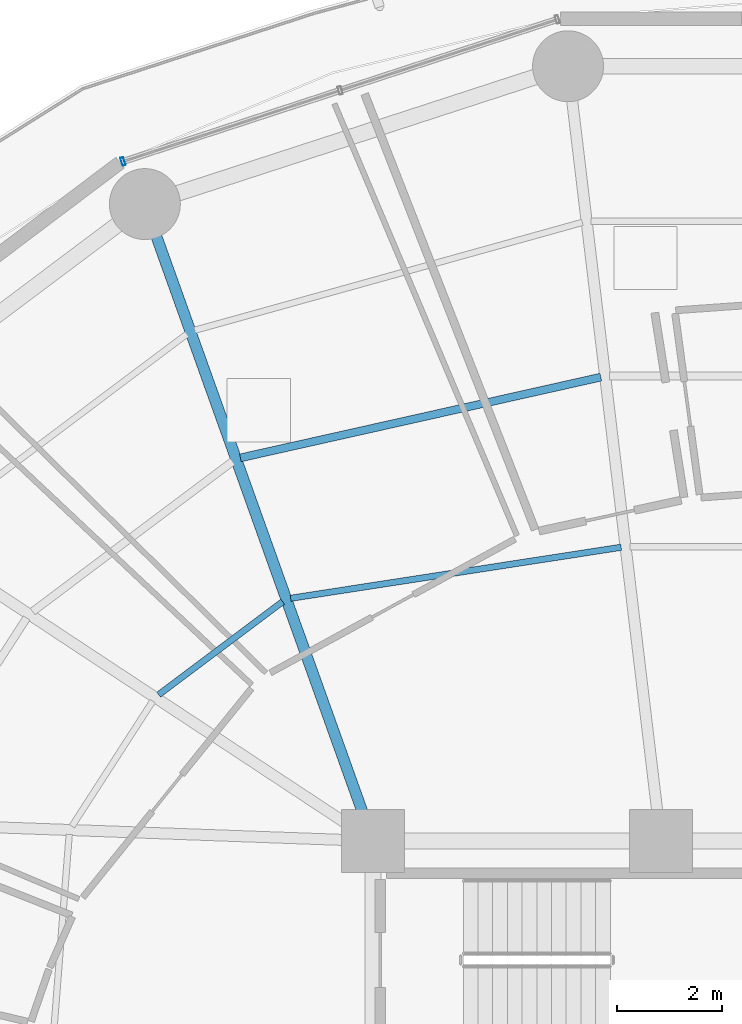
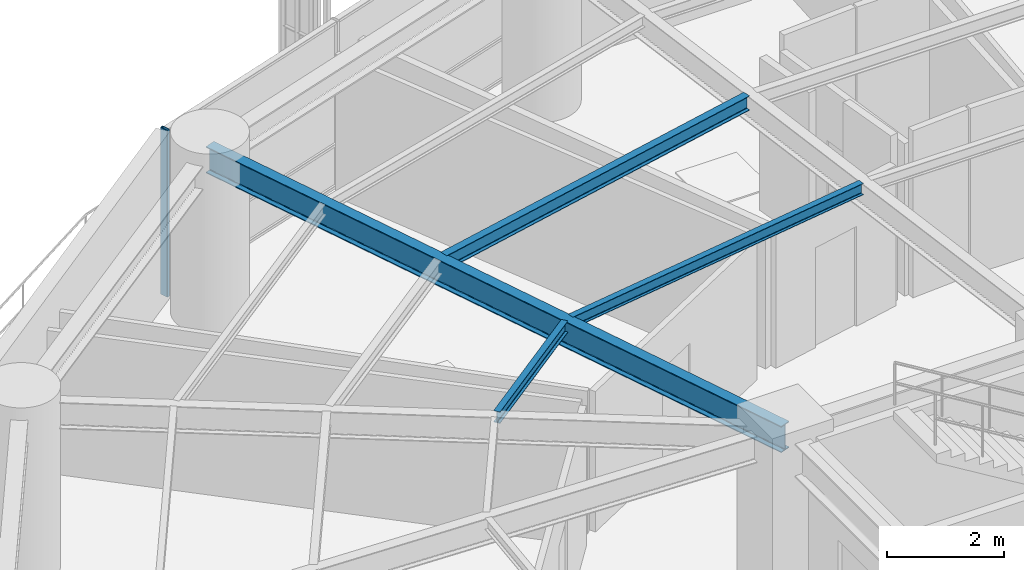
# One storey, part 20 of 37: 4 beams, 1 member, 1 element without a shape of its own.
"""IFC4 building model written with IfcOpenShell, lengths in metres."""

from ifc_helpers import new_model, si_unit, direction, frame, origin, origin_2d, place, context, subcontext, project, spatial, hollow_rectangle, i_section, extrude, material, layer, layer_set, material_profile, profile_set, type_object, element, aggregate, save


model = new_model("IFC4")

# Units and contexts
model_context = context("Model", 3, precision=1e-05, world=origin(), true_north=direction((0.0, 1.0)))
body_context = subcontext(model_context, "Body", "Model", "MODEL_VIEW")
ifc_project = project(units=[si_unit("LENGTHUNIT", "METRE"), si_unit("AREAUNIT", "SQUARE_METRE"), si_unit("VOLUMEUNIT", "CUBIC_METRE"), si_unit("PLANEANGLEUNIT", "RADIAN"), si_unit("MASSUNIT", "GRAM", prefix="KILO")], contexts=[model_context])

# Site, building, storey
site_placement = place(None, origin())
site = spatial("IfcSite", under=ifc_project, at=site_placement, CompositionType="ELEMENT")
building_placement = place(site_placement, origin())
building = spatial("IfcBuilding", under=site, at=building_placement, Name="Kelanora Arch Commons", CompositionType="ELEMENT")
storey_placement = place(building_placement, frame((0.0, 0.0, 110.10009765625)))
storey = spatial("IfcBuildingStorey", under=building, at=storey_placement, Name="L28", CompositionType="ELEMENT", Elevation=110.10009765625)

# Beams
ifc_material_1 = material(Name="Steel S355", Category="steel")
ifc_material_profile_1 = material_profile(ifc_material_1, i_section(OverallWidth=0.14990234375, OverallDepth=0.300048828125, WebThickness=0.007080078125, FlangeThickness=0.0107421875, FilletRadius=0.014892578125, at=origin_2d()), Name="IPE300")
ifc_profile_set_1 = profile_set([ifc_material_profile_1], Name="Steel S355")
beam_type_1 = type_object("IfcBeamType", Name="BM-JST-01", PredefinedType="JOIST", material=ifc_profile_set_1)
beam_1_placement = place(storey_placement, frame((70.337646484375, 73.828125, 3.33984375), z_axis=(-0.975817048791, -0.218588854449, 0.0), x_axis=(0.218588854449, -0.975817048791, 0.0)))
element("IfcBeam", 1, at=beam_1_placement, inside=storey, type_object=beam_type_1, Name="Secondary Chord Joist BJB-10 L28", PredefinedType="JOIST", context=body_context, shape_type="SweptSolid", body=[
    extrude(i_section(OverallWidth=0.14990234375, OverallDepth=0.300048828125, WebThickness=0.007080078125, FlangeThickness=0.0107421875, FilletRadius=0.014892578125, at=origin_2d()), origin(), (0.0, 0.0, 1.0), 7.028564453125),
])
ifc_material_profile_2 = material_profile(ifc_material_1, i_section(OverallWidth=0.1201171875, OverallDepth=0.239990234375, WebThickness=0.006103515625, FlangeThickness=0.009765625, FilletRadius=0.014892578125, at=origin_2d()), Name="IPE240")
ifc_profile_set_2 = profile_set([ifc_material_profile_2], Name="Steel S355")
beam_type_2 = type_object("IfcBeamType", Name="BM-JST-02", PredefinedType="JOIST", material=ifc_profile_set_2)
beam_2_placement = place(storey_placement, frame((70.72509765625, 70.590087890625, 3.369873046875), z_axis=(-0.988295745497, -0.152550055496, 0.0), x_axis=(0.152550055496, -0.988295745497, 0.0)))
element("IfcBeam", 2, at=beam_2_placement, inside=storey, type_object=beam_type_2, Name="Secondary Chord Joist BJA-10 L28", PredefinedType="JOIST", context=body_context, shape_type="SweptSolid", body=[
    extrude(i_section(OverallWidth=0.1201171875, OverallDepth=0.239990234375, WebThickness=0.006103515625, FlangeThickness=0.009765625, FilletRadius=0.014892578125, at=origin_2d()), origin(), (0.0, 0.0, 1.0), 6.36474609375),
])
beam_3_placement = place(storey_placement, frame((64.28271484375, 69.555419921875, 3.369873046875), z_axis=(-0.799692034361, -0.600410401458, 0.0), x_axis=(0.600410401458, -0.799692034361, 0.0)))
element("IfcBeam", 3, at=beam_3_placement, inside=storey, type_object=beam_type_2, Name="Secondary Chord Joist BJA-12 L28", PredefinedType="JOIST", context=body_context, shape_type="SweptSolid", body=[
    extrude(i_section(OverallWidth=0.1201171875, OverallDepth=0.239990234375, WebThickness=0.006103515625, FlangeThickness=0.009765625, FilletRadius=0.014892578125, at=origin_2d()), origin(), (0.0, 0.0, 1.0), 2.949951171875),
])
ifc_material_profile_3 = material_profile(ifc_material_1, i_section(OverallWidth=0.2099609375, OverallDepth=0.550048828125, WebThickness=0.010986328125, FlangeThickness=0.01708984375, FilletRadius=0.02392578125, at=origin_2d()), Name="IPE550")
ifc_profile_set_3 = profile_set([ifc_material_profile_3], Name="Steel S355")
beam_type_3 = type_object("IfcBeamType", Name="BM-RAD-Z2", PredefinedType="BEAM", material=ifc_profile_set_3)
beam_4_placement = place(storey_placement, frame((66.0, 65.0, 3.21484375), z_axis=(-0.337084640008, 0.941474346687, 0.0), x_axis=(-0.941474346687, -0.337084640008, 0.0)))
element("IfcBeam", 4, at=beam_4_placement, inside=storey, type_object=beam_type_3, Name="Radial Floor Girder BR-12 L28", PredefinedType="BEAM", context=body_context, shape_type="SweptSolid", body=[
    extrude(i_section(OverallWidth=0.2099609375, OverallDepth=0.550048828125, WebThickness=0.010986328125, FlangeThickness=0.01708984375, FilletRadius=0.02392578125, at=origin_2d()), origin(), (0.0, 0.0, 1.0), 12.875244140625),
])

# Curtain wall, member
ifc_material_2 = material(Name="Terracotta ceramic-fritted low-E glass and aluminium", Category="masonry")
ifc_layer = layer(ifc_material_2, 0.159912109375)
ifc_layer_set = layer_set([ifc_layer], Name="Terracotta ceramic-fritted low-E glass and aluminium")
curtain_wall_type = type_object("IfcCurtainWallType", Name="CW-SYS-01", PredefinedType="NOTDEFINED", material=ifc_layer_set)
curtain_wall_placement = place(storey_placement, origin())
curtain_wall = element("IfcCurtainWall", 5, at=curtain_wall_placement, inside=storey, type_object=curtain_wall_type, Name="Unitised Curtain Wall L28-B05", PredefinedType="NOTDEFINED")
ifc_material_3 = material(Name="Powder-coated aluminium terracotta", Category="masonry")
ifc_material_profile_4 = material_profile(ifc_material_3, hollow_rectangle(XDim=0.159912109375, YDim=0.06005859375, WallThickness=0.0048828125, InnerFilletRadius=0.0048828125, OuterFilletRadius=0.010009765625, at=origin_2d()), Name="CWM160x60")
ifc_profile_set_4 = profile_set([ifc_material_profile_4], Name="Powder-coated aluminium terracotta")
member_type = type_object("IfcMemberType", Name="CWM-STD", PredefinedType="MULLION", material=ifc_profile_set_4)
member_placement = place(storey_placement, frame((61.242919921875, 77.9326171875, 0.0), z_axis=(0.0, 0.0, 1.0), x_axis=(0.31080470294, -0.950473795867, 0.0)))
member = element("IfcMember", 6, at=member_placement, type_object=member_type, Name="CW-01 mullion 3", PredefinedType="MULLION", context=body_context, shape_type="SweptSolid", body=[
    extrude(hollow_rectangle(XDim=0.159912109375, YDim=0.06005859375, WallThickness=0.0048828125, InnerFilletRadius=0.0048828125, OuterFilletRadius=0.010009765625, at=origin_2d()), origin(), (0.0, 0.0, 1.0), 3.474853515625),
])
aggregate(curtain_wall, [member])

save(model, "model.ifc")
